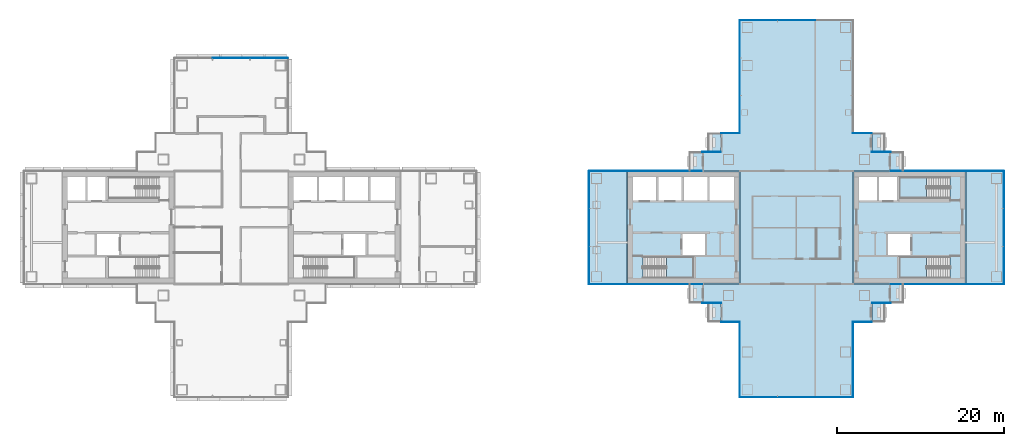
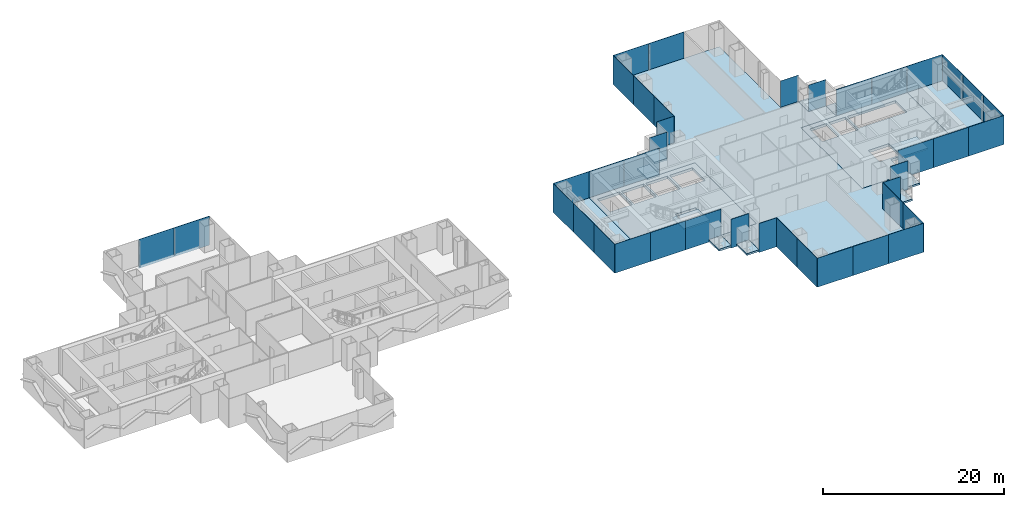
# One storey, part 9 of 19: 40 plates, 16 slabs, 23 elements without a shape of their own.
"""IFC4 building model written with IfcOpenShell, lengths in metres."""

from ifc_helpers import new_model, si_unit, direction, frame, origin, origin_2d, place, context, subcontext, project, spatial, polyline, rectangle, outline, extrude, material, layer, layer_set, type_object, element, aggregate, save


model = new_model("IFC4")

# Units and contexts
model_context = context("Model", 3, precision=1e-05, world=origin(), true_north=direction((0.0, 1.0)))
body_context = subcontext(model_context, "Body", "Model", "MODEL_VIEW")
ifc_project = project(units=[si_unit("LENGTHUNIT", "METRE"), si_unit("AREAUNIT", "SQUARE_METRE"), si_unit("VOLUMEUNIT", "CUBIC_METRE"), si_unit("PLANEANGLEUNIT", "RADIAN"), si_unit("MASSUNIT", "GRAM", prefix="KILO")], contexts=[model_context])

# Site, building, storey
site_placement = place(None, origin())
site = spatial("IfcSite", under=ifc_project, at=site_placement, CompositionType="ELEMENT")
building_placement = place(site_placement, origin())
building = spatial("IfcBuilding", under=site, at=building_placement, Name="Shamsa Quay Exchange Towers", CompositionType="ELEMENT")
storey_placement = place(building_placement, frame((0.0, 0.0, 93.60009765625)))
storey = spatial("IfcBuildingStorey", under=building, at=storey_placement, Name="L21", CompositionType="ELEMENT", Elevation=93.60009765625)

# Slabs
ifc_material_1 = material(Name="Precast concrete C40/50", Category="concrete")
ifc_layer_1 = layer(ifc_material_1, 0.25)
ifc_layer_set_1 = layer_set([ifc_layer_1], Name="BALCONY SLAB 250")
slab_type_1 = type_object("IfcSlabType", Name="BALCONY SLAB 250", PredefinedType="FLOOR", material=ifc_layer_set_1)
slab_1_placement = place(storey_placement, frame((0.0, 0.0, -0.25)))
element("IfcSlab", 1, at=slab_1_placement, inside=storey, type_object=slab_type_1, Name="Balcony T2-PKEN L21", PredefinedType="FLOOR", context=body_context, shape_type="SweptSolid", body=[
    extrude(outline(polyline([(24.75, 11.25), (24.75, 9.0380859375), (23.199951171875, 9.0380859375), (23.199951171875, 11.25), (24.75, 11.25)])), origin(), (0.0, 0.0, 1.0), 0.25),
])
slab_2_placement = place(storey_placement, frame((0.0, 0.0, -0.25)))
element("IfcSlab", 2, at=slab_2_placement, inside=storey, type_object=slab_type_1, Name="Balcony T2-PKEN L21", PredefinedType="FLOOR", context=body_context, shape_type="SweptSolid", body=[
    extrude(outline(polyline([(22.5, 9.0), (22.5, 6.7880859375), (20.949951171875, 6.7880859375), (20.949951171875, 9.0), (22.5, 9.0)])), origin(), (0.0, 0.0, 1.0), 0.25),
])
slab_3_placement = place(storey_placement, frame((0.0, 0.0, -0.25)))
element("IfcSlab", 3, at=slab_3_placement, inside=storey, type_object=slab_type_1, Name="Balcony T2-PKES L21", PredefinedType="FLOOR", context=body_context, shape_type="SweptSolid", body=[
    extrude(outline(polyline([(42.75, 9.0380859375), (42.75, 11.25), (44.300048828125, 11.25), (44.300048828125, 9.0380859375), (42.75, 9.0380859375)])), origin(), (0.0, 0.0, 1.0), 0.25),
])
slab_4_placement = place(storey_placement, frame((0.0, 0.0, -0.25)))
element("IfcSlab", 4, at=slab_4_placement, inside=storey, type_object=slab_type_1, Name="Balcony T2-PKES L21", PredefinedType="FLOOR", context=body_context, shape_type="SweptSolid", body=[
    extrude(outline(polyline([(45.0, 6.7880859375), (45.0, 9.0), (46.550048828125, 9.0), (46.550048828125, 6.7880859375), (45.0, 6.7880859375)])), origin(), (0.0, 0.0, 1.0), 0.25),
])
slab_5_placement = place(storey_placement, frame((0.0, 0.0, -0.25)))
element("IfcSlab", 5, at=slab_5_placement, inside=storey, type_object=slab_type_1, Name="Balcony T2-PKWN L21", PredefinedType="FLOOR", context=body_context, shape_type="SweptSolid", body=[
    extrude(outline(polyline([(22.5, -6.7880859375), (22.5, -9.0), (20.949951171875, -9.0), (20.949951171875, -6.7880859375), (22.5, -6.7880859375)])), origin(), (0.0, 0.0, 1.0), 0.25),
])
slab_6_placement = place(storey_placement, frame((0.0, 0.0, -0.25)))
element("IfcSlab", 6, at=slab_6_placement, inside=storey, type_object=slab_type_1, Name="Balcony T2-PKWN L21", PredefinedType="FLOOR", context=body_context, shape_type="SweptSolid", body=[
    extrude(outline(polyline([(24.75, -9.0380859375), (24.75, -11.25), (23.199951171875, -11.25), (23.199951171875, -9.0380859375), (24.75, -9.0380859375)])), origin(), (0.0, 0.0, 1.0), 0.25),
])
slab_7_placement = place(storey_placement, frame((0.0, 0.0, -0.25)))
element("IfcSlab", 7, at=slab_7_placement, inside=storey, type_object=slab_type_1, Name="Balcony T2-PKWS L21", PredefinedType="FLOOR", context=body_context, shape_type="SweptSolid", body=[
    extrude(outline(polyline([(42.75, -11.25), (42.75, -9.0380859375), (44.300048828125, -9.0380859375), (44.300048828125, -11.25), (42.75, -11.25)])), origin(), (0.0, 0.0, 1.0), 0.25),
])
slab_8_placement = place(storey_placement, frame((0.0, 0.0, -0.25)))
element("IfcSlab", 8, at=slab_8_placement, inside=storey, type_object=slab_type_1, Name="Balcony T2-PKWS L21", PredefinedType="FLOOR", context=body_context, shape_type="SweptSolid", body=[
    extrude(outline(polyline([(45.0, -9.0), (45.0, -6.7880859375), (46.550048828125, -6.7880859375), (46.550048828125, -9.0), (45.0, -9.0)])), origin(), (0.0, 0.0, 1.0), 0.25),
])
ifc_material_2 = material(Name="Concrete C50/60", Category="concrete")
ifc_layer_2 = layer(ifc_material_2, 0.35009765625)
ifc_layer_set_2 = layer_set([ifc_layer_2], Name="CORE FLOOR 350 C50/60")
slab_type_2 = type_object("IfcSlabType", Name="CORE FLOOR 350 C50/60", PredefinedType="FLOOR", material=ifc_layer_set_2)
slab_9_placement = place(storey_placement, frame((0.0, 0.0, -0.35009765625)))
element("IfcSlab", 9, at=slab_9_placement, inside=storey, type_object=slab_type_2, Name="Core floor T2A", PredefinedType="FLOOR", context=body_context, shape_type="SweptSolid", body=[
    extrude(outline(polyline([(13.5, -6.75), (27.0, -6.75), (27.0, 6.75), (13.5, 6.75), (13.5, -6.75)]), holes=[polyline([(15.400634765625, -6.050048828125), (15.400634765625, -3.5), (21.5, -3.5), (21.5, -6.050048828125), (15.400634765625, -6.050048828125)]), polyline([(14.199951171875, 3.25), (14.199951171875, 6.050048828125), (17.0, 6.050048828125), (17.0, 3.25), (14.199951171875, 3.25)]), polyline([(17.25, 3.25), (17.25, 6.050048828125), (20.050048828125, 6.050048828125), (20.050048828125, 3.25), (17.25, 3.25)]), polyline([(20.300048828125, 3.25), (20.300048828125, 6.050048828125), (23.10009765625, 6.050048828125), (23.10009765625, 3.25), (20.300048828125, 3.25)]), polyline([(23.35009765625, 3.25), (23.35009765625, 6.050048828125), (26.300048828125, 6.050048828125), (26.300048828125, 3.25), (23.35009765625, 3.25)]), polyline([(20.14990234375, -3.25), (20.14990234375, -0.75), (22.800048828125, -0.75), (22.800048828125, -3.25), (20.14990234375, -3.25)])]), origin(), (0.0, 0.0, 1.0), 0.35009765625),
])
slab_10_placement = place(storey_placement, frame((0.0, 0.0, -0.35009765625)))
element("IfcSlab", 10, at=slab_10_placement, inside=storey, type_object=slab_type_2, Name="Core floor T2B", PredefinedType="FLOOR", context=body_context, shape_type="SweptSolid", body=[
    extrude(outline(polyline([(54.0, -6.75), (54.0, 6.75), (40.5, 6.75), (40.5, -6.75), (54.0, -6.75)]), holes=[polyline([(52.099365234375, -3.5), (52.099365234375, -6.050048828125), (46.0, -6.050048828125), (46.0, -3.5), (52.099365234375, -3.5)]), polyline([(52.099365234375, 6.050048828125), (52.099365234375, 3.5), (46.0, 3.5), (46.0, 6.050048828125), (52.099365234375, 6.050048828125)]), polyline([(45.75, 3.25), (43.60009765625, 3.25), (43.60009765625, 6.050048828125), (45.75, 6.050048828125), (45.75, 3.25)]), polyline([(43.35009765625, 3.25), (41.199951171875, 3.25), (41.199951171875, 6.050048828125), (43.35009765625, 6.050048828125), (43.35009765625, 3.25)]), polyline([(47.35009765625, -3.25), (44.699951171875, -3.25), (44.699951171875, -0.75), (47.35009765625, -0.75), (47.35009765625, -3.25)])]), origin(), (0.0, 0.0, 1.0), 0.35009765625),
])

# Stair, slab
ifc_material_3 = material(Name="Concrete C40/50", Category="concrete")
stair_type = type_object("IfcStairType", Name="EXIT STAIR 22 RISERS 177 MM", PredefinedType="HALF_TURN_STAIR", material=ifc_material_3)
stair_1_placement = place(storey_placement, origin())
stair_1 = element("IfcStair", 11, at=stair_1_placement, inside=storey, type_object=stair_type, Name="L21 Exit stair ST4", PredefinedType="HALF_TURN_STAIR")
ifc_layer_3 = layer(ifc_material_3, 0.199951171875)
ifc_layer_set_3 = layer_set([ifc_layer_3], Name="CORE STAIR LANDING")
slab_type_3 = type_object("IfcSlabType", Name="CORE STAIR LANDING", PredefinedType="LANDING", material=ifc_layer_set_3)
slab_11_placement = place(storey_placement, frame((0.0, 0.0, 1.75)))
slab_11 = element("IfcSlab", 12, at=slab_11_placement, type_object=slab_type_3, Name="ST4 landing 1", PredefinedType="LANDING", context=body_context, shape_type="SweptSolid", body=[
    extrude(outline(polyline([(18.199951171875, -6.050048828125), (21.5, -6.050048828125), (21.5, -3.5), (18.199951171875, -3.5), (18.199951171875, -6.050048828125)])), origin(), (0.0, 0.0, 1.0), 0.199951171875),
])
aggregate(stair_1, [slab_11])

stair_2_placement = place(storey_placement, origin())
stair_2 = element("IfcStair", 13, at=stair_2_placement, inside=storey, type_object=stair_type, Name="L21 Exit stair ST5", PredefinedType="HALF_TURN_STAIR")
slab_12_placement = place(storey_placement, frame((0.0, 0.0, 1.75)))
slab_12 = element("IfcSlab", 14, at=slab_12_placement, type_object=slab_type_3, Name="ST5 landing 1", PredefinedType="LANDING", context=body_context, shape_type="SweptSolid", body=[
    extrude(outline(polyline([(49.300048828125, -3.5), (46.0, -3.5), (46.0, -6.050048828125), (49.300048828125, -6.050048828125), (49.300048828125, -3.5)])), origin(), (0.0, 0.0, 1.0), 0.199951171875),
])
aggregate(stair_2, [slab_12])

stair_3_placement = place(storey_placement, origin())
stair_3 = element("IfcStair", 15, at=stair_3_placement, inside=storey, type_object=stair_type, Name="L21 Exit stair ST6", PredefinedType="HALF_TURN_STAIR")
slab_13_placement = place(storey_placement, frame((0.0, 0.0, 1.75)))
slab_13 = element("IfcSlab", 16, at=slab_13_placement, type_object=slab_type_3, Name="ST6 landing 1", PredefinedType="LANDING", context=body_context, shape_type="SweptSolid", body=[
    extrude(outline(polyline([(49.300048828125, 6.050048828125), (46.0, 6.050048828125), (46.0, 3.5), (49.300048828125, 3.5), (49.300048828125, 6.050048828125)])), origin(), (0.0, 0.0, 1.0), 0.199951171875),
])
aggregate(stair_3, [slab_13])

# Curtain wall, plates
ifc_material_4 = material(Name="Aluminium EN AW-6063 T6, black anodised", Category="aluminium")
ifc_layer_4 = layer(ifc_material_4, 0.280029296875)
ifc_layer_set_4 = layer_set([ifc_layer_4], Name="CW-1 UNITISED VISION GLASS")
curtain_wall_type_1 = type_object("IfcCurtainWallType", Name="CW-1 UNITISED VISION GLASS", PredefinedType="NOTDEFINED", material=ifc_layer_set_4)
curtain_wall_1_placement = place(storey_placement, origin())
curtain_wall_1 = element("IfcCurtainWall", 17, at=curtain_wall_1_placement, inside=storey, type_object=curtain_wall_type_1, Name="CW1 T1-END-V+ L21", PredefinedType="NOTDEFINED")
ifc_material_5 = material(Name="Glass, laminated, dark tinted", Category="glass")
ifc_layer_5 = layer(ifc_material_5, 0.0400390625)
ifc_layer_set_5 = layer_set([ifc_layer_5], Name="CW-1 VISION GLASS 40")
plate_type_1 = type_object("IfcPlateType", Name="CW-1 VISION GLASS 40", PredefinedType="CURTAIN_PANEL", material=ifc_layer_set_5)
plate_1_placement = place(storey_placement, frame((-29.24755859375, 20.27001953125, -0.35009765625), z_axis=(0.0, 0.0, 1.0), x_axis=(-1.0, 0.0, 0.0)))
plate_1 = element("IfcPlate", 18, at=plate_1_placement, type_object=plate_type_1, Name="CW1 glass panel", PredefinedType="CURTAIN_PANEL", context=body_context, shape_type="SweptSolid", body=[
    extrude(rectangle(XDim=4.4951171875, YDim=0.0400390625, at=origin_2d()), origin(), (0.0, 0.0, 1.0), 3.89990234375),
])
plate_2_placement = place(storey_placement, frame((-33.75, 20.27001953125, -0.35009765625), z_axis=(0.0, 0.0, 1.0), x_axis=(-1.0, 0.0, 0.0)))
plate_2 = element("IfcPlate", 19, at=plate_2_placement, type_object=plate_type_1, Name="CW1 glass panel", PredefinedType="CURTAIN_PANEL", context=body_context, shape_type="SweptSolid", body=[
    extrude(rectangle(XDim=4.489990234375, YDim=0.0400390625, at=origin_2d()), origin(), (0.0, 0.0, 1.0), 3.89990234375),
])
aggregate(curtain_wall_1, [plate_1, plate_2])

# Curtain wall, plate
curtain_wall_2_placement = place(storey_placement, origin())
curtain_wall_2 = element("IfcCurtainWall", 20, at=curtain_wall_2_placement, inside=storey, type_object=curtain_wall_type_1, Name="CW1 T2-FLK-V-W L21", PredefinedType="NOTDEFINED")
plate_3_placement = place(storey_placement, frame((56.25, -6.77001953125, -0.35009765625)))
plate_3 = element("IfcPlate", 21, at=plate_3_placement, type_object=plate_type_1, Name="CW1 glass panel", PredefinedType="CURTAIN_PANEL", context=body_context, shape_type="SweptSolid", body=[
    extrude(rectangle(XDim=4.5, YDim=0.0400390625, at=origin_2d()), origin(), (0.0, 0.0, 1.0), 3.89990234375),
])
aggregate(curtain_wall_2, [plate_3])

# Curtain wall, plates
curtain_wall_3_placement = place(storey_placement, origin())
curtain_wall_3 = element("IfcCurtainWall", 22, at=curtain_wall_3_placement, inside=storey, type_object=curtain_wall_type_1, Name="CW1 T2-END-V- L21", PredefinedType="NOTDEFINED")
plate_4_placement = place(storey_placement, frame((58.52001953125, -4.50244140625, -0.35009765625), z_axis=(0.0, 0.0, 1.0), x_axis=(0.0, 1.0, 0.0)))
plate_4 = element("IfcPlate", 23, at=plate_4_placement, type_object=plate_type_1, Name="CW1 glass panel", PredefinedType="CURTAIN_PANEL", context=body_context, shape_type="SweptSolid", body=[
    extrude(rectangle(XDim=4.4951171875, YDim=0.0400390625, at=origin_2d()), origin(), (0.0, 0.0, 1.0), 3.89990234375),
])
plate_5_placement = place(storey_placement, frame((58.52001953125, 0.0, -0.35009765625), z_axis=(0.0, 0.0, 1.0), x_axis=(0.0, 1.0, 0.0)))
plate_5 = element("IfcPlate", 24, at=plate_5_placement, type_object=plate_type_1, Name="CW1 glass panel", PredefinedType="CURTAIN_PANEL", context=body_context, shape_type="SweptSolid", body=[
    extrude(rectangle(XDim=4.489990234375, YDim=0.0400390625, at=origin_2d()), origin(), (0.0, 0.0, 1.0), 3.89990234375),
])
plate_6_placement = place(storey_placement, frame((58.52001953125, 4.50244140625, -0.35009765625), z_axis=(0.0, 0.0, 1.0), x_axis=(0.0, 1.0, 0.0)))
plate_6 = element("IfcPlate", 25, at=plate_6_placement, type_object=plate_type_1, Name="CW1 glass panel", PredefinedType="CURTAIN_PANEL", context=body_context, shape_type="SweptSolid", body=[
    extrude(rectangle(XDim=4.4951171875, YDim=0.0400390625, at=origin_2d()), origin(), (0.0, 0.0, 1.0), 3.89990234375),
])
aggregate(curtain_wall_3, [plate_4, plate_5, plate_6])

# Curtain wall, plate
curtain_wall_4_placement = place(storey_placement, origin())
curtain_wall_4 = element("IfcCurtainWall", 26, at=curtain_wall_4_placement, inside=storey, type_object=curtain_wall_type_1, Name="CW1 T2-FLK-V-E L21", PredefinedType="NOTDEFINED")
plate_7_placement = place(storey_placement, frame((56.25, 6.77001953125, -0.35009765625), z_axis=(0.0, 0.0, 1.0), x_axis=(-1.0, 0.0, 0.0)))
plate_7 = element("IfcPlate", 27, at=plate_7_placement, type_object=plate_type_1, Name="CW1 glass panel", PredefinedType="CURTAIN_PANEL", context=body_context, shape_type="SweptSolid", body=[
    extrude(rectangle(XDim=4.5, YDim=0.0400390625, at=origin_2d()), origin(), (0.0, 0.0, 1.0), 3.89990234375),
])
aggregate(curtain_wall_4, [plate_7])

# Curtain wall, plates
curtain_wall_5_placement = place(storey_placement, origin())
curtain_wall_5 = element("IfcCurtainWall", 28, at=curtain_wall_5_placement, inside=storey, type_object=curtain_wall_type_1, Name="CW1 T2-END-U+ L21", PredefinedType="NOTDEFINED")
plate_8_placement = place(storey_placement, frame((33.75, 24.77001953125, -0.35009765625), z_axis=(0.0, 0.0, 1.0), x_axis=(-1.0, 0.0, 0.0)))
plate_8 = element("IfcPlate", 29, at=plate_8_placement, type_object=plate_type_1, Name="CW1 glass panel", PredefinedType="CURTAIN_PANEL", context=body_context, shape_type="SweptSolid", body=[
    extrude(rectangle(XDim=4.489990234375, YDim=0.0400390625, at=origin_2d()), origin(), (0.0, 0.0, 1.0), 3.89990234375),
])
plate_9_placement = place(storey_placement, frame((29.24755859375, 24.77001953125, -0.35009765625), z_axis=(0.0, 0.0, 1.0), x_axis=(-1.0, 0.0, 0.0)))
plate_9 = element("IfcPlate", 30, at=plate_9_placement, type_object=plate_type_1, Name="CW1 glass panel", PredefinedType="CURTAIN_PANEL", context=body_context, shape_type="SweptSolid", body=[
    extrude(rectangle(XDim=4.4951171875, YDim=0.0400390625, at=origin_2d()), origin(), (0.0, 0.0, 1.0), 3.89990234375),
])
aggregate(curtain_wall_5, [plate_8, plate_9])

curtain_wall_6_placement = place(storey_placement, origin())
curtain_wall_6 = element("IfcCurtainWall", 31, at=curtain_wall_6_placement, inside=storey, type_object=curtain_wall_type_1, Name="CW1 T2-FLK-U+N L21", PredefinedType="NOTDEFINED")
plate_10_placement = place(storey_placement, frame((26.97998046875, 22.50244140625, -0.35009765625), z_axis=(0.0, 0.0, 1.0), x_axis=(0.0, -1.0, 0.0)))
plate_10 = element("IfcPlate", 32, at=plate_10_placement, type_object=plate_type_1, Name="CW1 glass panel", PredefinedType="CURTAIN_PANEL", context=body_context, shape_type="SweptSolid", body=[
    extrude(rectangle(XDim=4.4951171875, YDim=0.0400390625, at=origin_2d()), origin(), (0.0, 0.0, 1.0), 3.89990234375),
])
plate_11_placement = place(storey_placement, frame((26.97998046875, 18.0, -0.35009765625), z_axis=(0.0, 0.0, 1.0), x_axis=(0.0, -1.0, 0.0)))
plate_11 = element("IfcPlate", 33, at=plate_11_placement, type_object=plate_type_1, Name="CW1 glass panel", PredefinedType="CURTAIN_PANEL", context=body_context, shape_type="SweptSolid", body=[
    extrude(rectangle(XDim=4.489990234375, YDim=0.0400390625, at=origin_2d()), origin(), (0.0, 0.0, 1.0), 3.89990234375),
])
plate_12_placement = place(storey_placement, frame((26.97998046875, 13.49755859375, -0.35009765625), z_axis=(0.0, 0.0, 1.0), x_axis=(0.0, -1.0, 0.0)))
plate_12 = element("IfcPlate", 34, at=plate_12_placement, type_object=plate_type_1, Name="CW1 glass panel", PredefinedType="CURTAIN_PANEL", context=body_context, shape_type="SweptSolid", body=[
    extrude(rectangle(XDim=4.4951171875, YDim=0.0400390625, at=origin_2d()), origin(), (0.0, 0.0, 1.0), 3.89990234375),
])
aggregate(curtain_wall_6, [plate_10, plate_11, plate_12])

# Curtain wall, plate
curtain_wall_7_placement = place(storey_placement, origin())
curtain_wall_7 = element("IfcCurtainWall", 35, at=curtain_wall_7_placement, inside=storey, type_object=curtain_wall_type_1, Name="CW1 T2-FLK-V+E L21", PredefinedType="NOTDEFINED")
plate_13_placement = place(storey_placement, frame((11.25, 6.77001953125, -0.35009765625), z_axis=(0.0, 0.0, 1.0), x_axis=(-1.0, 0.0, 0.0)))
plate_13 = element("IfcPlate", 36, at=plate_13_placement, type_object=plate_type_1, Name="CW1 glass panel", PredefinedType="CURTAIN_PANEL", context=body_context, shape_type="SweptSolid", body=[
    extrude(rectangle(XDim=4.5, YDim=0.0400390625, at=origin_2d()), origin(), (0.0, 0.0, 1.0), 3.89990234375),
])
aggregate(curtain_wall_7, [plate_13])

# Curtain wall, plates
curtain_wall_8_placement = place(storey_placement, origin())
curtain_wall_8 = element("IfcCurtainWall", 37, at=curtain_wall_8_placement, inside=storey, type_object=curtain_wall_type_1, Name="CW1 T2-END-V+ L21", PredefinedType="NOTDEFINED")
plate_14_placement = place(storey_placement, frame((8.97998046875, 4.50244140625, -0.35009765625), z_axis=(0.0, 0.0, 1.0), x_axis=(0.0, -1.0, 0.0)))
plate_14 = element("IfcPlate", 38, at=plate_14_placement, type_object=plate_type_1, Name="CW1 glass panel", PredefinedType="CURTAIN_PANEL", context=body_context, shape_type="SweptSolid", body=[
    extrude(rectangle(XDim=4.4951171875, YDim=0.0400390625, at=origin_2d()), origin(), (0.0, 0.0, 1.0), 3.89990234375),
])
plate_15_placement = place(storey_placement, frame((8.97998046875, 0.0, -0.35009765625), z_axis=(0.0, 0.0, 1.0), x_axis=(0.0, -1.0, 0.0)))
plate_15 = element("IfcPlate", 39, at=plate_15_placement, type_object=plate_type_1, Name="CW1 glass panel", PredefinedType="CURTAIN_PANEL", context=body_context, shape_type="SweptSolid", body=[
    extrude(rectangle(XDim=4.489990234375, YDim=0.0400390625, at=origin_2d()), origin(), (0.0, 0.0, 1.0), 3.89990234375),
])
plate_16_placement = place(storey_placement, frame((8.97998046875, -4.50244140625, -0.35009765625), z_axis=(0.0, 0.0, 1.0), x_axis=(0.0, -1.0, 0.0)))
plate_16 = element("IfcPlate", 40, at=plate_16_placement, type_object=plate_type_1, Name="CW1 glass panel", PredefinedType="CURTAIN_PANEL", context=body_context, shape_type="SweptSolid", body=[
    extrude(rectangle(XDim=4.4951171875, YDim=0.0400390625, at=origin_2d()), origin(), (0.0, 0.0, 1.0), 3.89990234375),
])
aggregate(curtain_wall_8, [plate_14, plate_15, plate_16])

# Curtain wall, plate
curtain_wall_9_placement = place(storey_placement, origin())
curtain_wall_9 = element("IfcCurtainWall", 41, at=curtain_wall_9_placement, inside=storey, type_object=curtain_wall_type_1, Name="CW1 T2-FLK-V+W L21", PredefinedType="NOTDEFINED")
plate_17_placement = place(storey_placement, frame((11.25, -6.77001953125, -0.35009765625)))
plate_17 = element("IfcPlate", 42, at=plate_17_placement, type_object=plate_type_1, Name="CW1 glass panel", PredefinedType="CURTAIN_PANEL", context=body_context, shape_type="SweptSolid", body=[
    extrude(rectangle(XDim=4.5, YDim=0.0400390625, at=origin_2d()), origin(), (0.0, 0.0, 1.0), 3.89990234375),
])
aggregate(curtain_wall_9, [plate_17])

# Curtain wall, plates
curtain_wall_10_placement = place(storey_placement, origin())
curtain_wall_10 = element("IfcCurtainWall", 43, at=curtain_wall_10_placement, inside=storey, type_object=curtain_wall_type_1, Name="CW1 T2-FLK-U-N L21", PredefinedType="NOTDEFINED")
plate_18_placement = place(storey_placement, frame((26.97998046875, -13.52587890625, -0.35009765625), z_axis=(0.0, 0.0, 1.0), x_axis=(0.0, -1.0, 0.0)))
plate_18 = element("IfcPlate", 44, at=plate_18_placement, type_object=plate_type_1, Name="CW1 glass panel", PredefinedType="CURTAIN_PANEL", context=body_context, shape_type="SweptSolid", body=[
    extrude(rectangle(XDim=4.47607421875, YDim=0.0400390625, at=origin_2d()), origin(), (0.0, 0.0, 1.0), 3.89990234375),
])
plate_19_placement = place(storey_placement, frame((26.97998046875, -18.011962890625, -0.35009765625), z_axis=(0.0, 0.0, 1.0), x_axis=(0.0, -1.0, 0.0)))
plate_19 = element("IfcPlate", 45, at=plate_19_placement, type_object=plate_type_1, Name="CW1 glass panel", PredefinedType="CURTAIN_PANEL", context=body_context, shape_type="SweptSolid", body=[
    extrude(rectangle(XDim=4.47607421875, YDim=0.0400390625, at=origin_2d()), origin(), (0.0, 0.0, 1.0), 3.89990234375),
])
aggregate(curtain_wall_10, [plate_18, plate_19])

curtain_wall_11_placement = place(storey_placement, origin())
curtain_wall_11 = element("IfcCurtainWall", 46, at=curtain_wall_11_placement, inside=storey, type_object=curtain_wall_type_1, Name="CW1 T2-END-U- L21", PredefinedType="NOTDEFINED")
plate_20_placement = place(storey_placement, frame((29.24755859375, -20.27001953125, -0.35009765625)))
plate_20 = element("IfcPlate", 47, at=plate_20_placement, type_object=plate_type_1, Name="CW1 glass panel", PredefinedType="CURTAIN_PANEL", context=body_context, shape_type="SweptSolid", body=[
    extrude(rectangle(XDim=4.4951171875, YDim=0.0400390625, at=origin_2d()), origin(), (0.0, 0.0, 1.0), 3.89990234375),
])
plate_21_placement = place(storey_placement, frame((33.75, -20.27001953125, -0.35009765625)))
plate_21 = element("IfcPlate", 48, at=plate_21_placement, type_object=plate_type_1, Name="CW1 glass panel", PredefinedType="CURTAIN_PANEL", context=body_context, shape_type="SweptSolid", body=[
    extrude(rectangle(XDim=4.489990234375, YDim=0.0400390625, at=origin_2d()), origin(), (0.0, 0.0, 1.0), 3.89990234375),
])
plate_22_placement = place(storey_placement, frame((38.25244140625, -20.27001953125, -0.35009765625)))
plate_22 = element("IfcPlate", 49, at=plate_22_placement, type_object=plate_type_1, Name="CW1 glass panel", PredefinedType="CURTAIN_PANEL", context=body_context, shape_type="SweptSolid", body=[
    extrude(rectangle(XDim=4.4951171875, YDim=0.0400390625, at=origin_2d()), origin(), (0.0, 0.0, 1.0), 3.89990234375),
])
aggregate(curtain_wall_11, [plate_20, plate_21, plate_22])

curtain_wall_12_placement = place(storey_placement, origin())
curtain_wall_12 = element("IfcCurtainWall", 50, at=curtain_wall_12_placement, inside=storey, type_object=curtain_wall_type_1, Name="CW1 T2-FLK-U-S L21", PredefinedType="NOTDEFINED")
plate_23_placement = place(storey_placement, frame((40.52001953125, -18.00244140625, -0.35009765625), z_axis=(0.0, 0.0, 1.0), x_axis=(0.0, 1.0, 0.0)))
plate_23 = element("IfcPlate", 51, at=plate_23_placement, type_object=plate_type_1, Name="CW1 glass panel", PredefinedType="CURTAIN_PANEL", context=body_context, shape_type="SweptSolid", body=[
    extrude(rectangle(XDim=4.4951171875, YDim=0.0400390625, at=origin_2d()), origin(), (0.0, 0.0, 1.0), 3.89990234375),
])
plate_24_placement = place(storey_placement, frame((40.52001953125, -13.49755859375, -0.35009765625), z_axis=(0.0, 0.0, 1.0), x_axis=(0.0, 1.0, 0.0)))
plate_24 = element("IfcPlate", 52, at=plate_24_placement, type_object=plate_type_1, Name="CW1 glass panel", PredefinedType="CURTAIN_PANEL", context=body_context, shape_type="SweptSolid", body=[
    extrude(rectangle(XDim=4.4951171875, YDim=0.0400390625, at=origin_2d()), origin(), (0.0, 0.0, 1.0), 3.89990234375),
])
aggregate(curtain_wall_12, [plate_23, plate_24])

ifc_layer_6 = layer(ifc_material_4, 0.303955078125)
ifc_layer_set_6 = layer_set([ifc_layer_6], Name="CW-2 UNITISED OPAQUE SPANDREL GLASS")
curtain_wall_type_2 = type_object("IfcCurtainWallType", Name="CW-2 UNITISED OPAQUE SPANDREL GLASS", PredefinedType="NOTDEFINED", material=ifc_layer_set_6)
curtain_wall_13_placement = place(storey_placement, origin())
curtain_wall_13 = element("IfcCurtainWall", 53, at=curtain_wall_13_placement, inside=storey, type_object=curtain_wall_type_2, Name="CW2 T2-FLK-V-W L21", PredefinedType="NOTDEFINED")
ifc_material_6 = material(Name="Glass, laminated, black enamelled opaque", Category="glass")
ifc_layer_7 = layer(ifc_material_6, 0.0439453125)
ifc_layer_set_7 = layer_set([ifc_layer_7], Name="CW-2 SPANDREL GLASS 44")
plate_type_2 = type_object("IfcPlateType", Name="CW-2 SPANDREL GLASS 44", PredefinedType="CURTAIN_PANEL", material=ifc_layer_set_7)
plate_25_placement = place(storey_placement, frame((47.27587890625, -6.77197265625, -0.35009765625)))
plate_25 = element("IfcPlate", 54, at=plate_25_placement, type_object=plate_type_2, Name="CW2 glass panel", PredefinedType="CURTAIN_PANEL", context=body_context, shape_type="SweptSolid", body=[
    extrude(rectangle(XDim=4.47607421875, YDim=0.0439453125, at=origin_2d()), origin(), (0.0, 0.0, 1.0), 3.89990234375),
])
plate_26_placement = place(storey_placement, frame((51.761962890625, -6.77197265625, -0.35009765625)))
plate_26 = element("IfcPlate", 55, at=plate_26_placement, type_object=plate_type_2, Name="CW2 glass panel", PredefinedType="CURTAIN_PANEL", context=body_context, shape_type="SweptSolid", body=[
    extrude(rectangle(XDim=4.47607421875, YDim=0.0439453125, at=origin_2d()), origin(), (0.0, 0.0, 1.0), 3.89990234375),
])
aggregate(curtain_wall_13, [plate_25, plate_26])

curtain_wall_14_placement = place(storey_placement, origin())
curtain_wall_14 = element("IfcCurtainWall", 56, at=curtain_wall_14_placement, inside=storey, type_object=curtain_wall_type_2, Name="CW2 T2-FLK-V-E L21", PredefinedType="NOTDEFINED")
plate_27_placement = place(storey_placement, frame((51.75244140625, 6.77197265625, -0.35009765625), z_axis=(0.0, 0.0, 1.0), x_axis=(-1.0, 0.0, 0.0)))
plate_27 = element("IfcPlate", 57, at=plate_27_placement, type_object=plate_type_2, Name="CW2 glass panel", PredefinedType="CURTAIN_PANEL", context=body_context, shape_type="SweptSolid", body=[
    extrude(rectangle(XDim=4.4951171875, YDim=0.0439453125, at=origin_2d()), origin(), (0.0, 0.0, 1.0), 3.89990234375),
])
plate_28_placement = place(storey_placement, frame((47.24755859375, 6.77197265625, -0.35009765625), z_axis=(0.0, 0.0, 1.0), x_axis=(-1.0, 0.0, 0.0)))
plate_28 = element("IfcPlate", 58, at=plate_28_placement, type_object=plate_type_2, Name="CW2 glass panel", PredefinedType="CURTAIN_PANEL", context=body_context, shape_type="SweptSolid", body=[
    extrude(rectangle(XDim=4.4951171875, YDim=0.0439453125, at=origin_2d()), origin(), (0.0, 0.0, 1.0), 3.89990234375),
])
aggregate(curtain_wall_14, [plate_27, plate_28])

curtain_wall_15_placement = place(storey_placement, origin())
curtain_wall_15 = element("IfcCurtainWall", 59, at=curtain_wall_15_placement, inside=storey, type_object=curtain_wall_type_2, Name="CW2 T2-FLK-V+E L21", PredefinedType="NOTDEFINED")
plate_29_placement = place(storey_placement, frame((20.22412109375, 6.77197265625, -0.35009765625), z_axis=(0.0, 0.0, 1.0), x_axis=(-1.0, 0.0, 0.0)))
plate_29 = element("IfcPlate", 60, at=plate_29_placement, type_object=plate_type_2, Name="CW2 glass panel", PredefinedType="CURTAIN_PANEL", context=body_context, shape_type="SweptSolid", body=[
    extrude(rectangle(XDim=4.47607421875, YDim=0.0439453125, at=origin_2d()), origin(), (0.0, 0.0, 1.0), 3.89990234375),
])
plate_30_placement = place(storey_placement, frame((15.738037109375, 6.77197265625, -0.35009765625), z_axis=(0.0, 0.0, 1.0), x_axis=(-1.0, 0.0, 0.0)))
plate_30 = element("IfcPlate", 61, at=plate_30_placement, type_object=plate_type_2, Name="CW2 glass panel", PredefinedType="CURTAIN_PANEL", context=body_context, shape_type="SweptSolid", body=[
    extrude(rectangle(XDim=4.47607421875, YDim=0.0439453125, at=origin_2d()), origin(), (0.0, 0.0, 1.0), 3.89990234375),
])
aggregate(curtain_wall_15, [plate_29, plate_30])

curtain_wall_16_placement = place(storey_placement, origin())
curtain_wall_16 = element("IfcCurtainWall", 62, at=curtain_wall_16_placement, inside=storey, type_object=curtain_wall_type_2, Name="CW2 T2-FLK-V+W L21", PredefinedType="NOTDEFINED")
plate_31_placement = place(storey_placement, frame((15.74755859375, -6.77197265625, -0.35009765625)))
plate_31 = element("IfcPlate", 63, at=plate_31_placement, type_object=plate_type_2, Name="CW2 glass panel", PredefinedType="CURTAIN_PANEL", context=body_context, shape_type="SweptSolid", body=[
    extrude(rectangle(XDim=4.4951171875, YDim=0.0439453125, at=origin_2d()), origin(), (0.0, 0.0, 1.0), 3.89990234375),
])
plate_32_placement = place(storey_placement, frame((20.25244140625, -6.77197265625, -0.35009765625)))
plate_32 = element("IfcPlate", 64, at=plate_32_placement, type_object=plate_type_2, Name="CW2 glass panel", PredefinedType="CURTAIN_PANEL", context=body_context, shape_type="SweptSolid", body=[
    extrude(rectangle(XDim=4.4951171875, YDim=0.0439453125, at=origin_2d()), origin(), (0.0, 0.0, 1.0), 3.89990234375),
])
aggregate(curtain_wall_16, [plate_31, plate_32])

ifc_layer_8 = layer(ifc_material_4, 0.256103515625)
ifc_layer_set_8 = layer_set([ifc_layer_8], Name="CW-4 POCKET SERRATED GLAZING")
curtain_wall_type_3 = type_object("IfcCurtainWallType", Name="CW-4 POCKET SERRATED GLAZING", PredefinedType="NOTDEFINED", material=ifc_layer_set_8)
curtain_wall_17_placement = place(storey_placement, origin())
curtain_wall_17 = element("IfcCurtainWall", 65, at=curtain_wall_17_placement, inside=storey, type_object=curtain_wall_type_3, Name="CW4 PKWS L21", PredefinedType="NOTDEFINED")
ifc_layer_9 = layer(ifc_material_5, 0.035888671875)
ifc_layer_set_9 = layer_set([ifc_layer_9], Name="CW-4 POCKET GLASS 36")
plate_type_3 = type_object("IfcPlateType", Name="CW-4 POCKET GLASS 36", PredefinedType="CURTAIN_PANEL", material=ifc_layer_set_9)
plate_33_placement = place(storey_placement, frame((43.89404296875, -9.01806640625, -0.35009765625)))
plate_33 = element("IfcPlate", 66, at=plate_33_placement, type_object=plate_type_3, Name="CW4 glass panel", PredefinedType="CURTAIN_PANEL", context=body_context, shape_type="SweptSolid", body=[
    extrude(rectangle(XDim=2.2119140625, YDim=0.035888671875, at=origin_2d()), origin(), (0.0, 0.0, 1.0), 3.89990234375),
])
plate_34_placement = place(storey_placement, frame((41.64599609375, -11.26806640625, -0.35009765625)))
plate_34 = element("IfcPlate", 67, at=plate_34_placement, type_object=plate_type_3, Name="CW4 glass panel", PredefinedType="CURTAIN_PANEL", context=body_context, shape_type="SweptSolid", body=[
    extrude(rectangle(XDim=2.2080078125, YDim=0.035888671875, at=origin_2d()), origin(), (0.0, 0.0, 1.0), 3.89990234375),
])
aggregate(curtain_wall_17, [plate_33, plate_34])

curtain_wall_18_placement = place(storey_placement, origin())
curtain_wall_18 = element("IfcCurtainWall", 68, at=curtain_wall_18_placement, inside=storey, type_object=curtain_wall_type_3, Name="CW4 PKES L21", PredefinedType="NOTDEFINED")
plate_35_placement = place(storey_placement, frame((43.875, 9.01806640625, -0.35009765625), z_axis=(0.0, 0.0, 1.0), x_axis=(-1.0, 0.0, 0.0)))
plate_35 = element("IfcPlate", 69, at=plate_35_placement, type_object=plate_type_3, Name="CW4 glass panel", PredefinedType="CURTAIN_PANEL", context=body_context, shape_type="SweptSolid", body=[
    extrude(rectangle(XDim=2.25, YDim=0.035888671875, at=origin_2d()), origin(), (0.0, 0.0, 1.0), 3.89990234375),
])
plate_36_placement = place(storey_placement, frame((41.625, 11.26806640625, -0.35009765625), z_axis=(0.0, 0.0, 1.0), x_axis=(-1.0, 0.0, 0.0)))
plate_36 = element("IfcPlate", 70, at=plate_36_placement, type_object=plate_type_3, Name="CW4 glass panel", PredefinedType="CURTAIN_PANEL", context=body_context, shape_type="SweptSolid", body=[
    extrude(rectangle(XDim=2.25, YDim=0.035888671875, at=origin_2d()), origin(), (0.0, 0.0, 1.0), 3.89990234375),
])
aggregate(curtain_wall_18, [plate_35, plate_36])

curtain_wall_19_placement = place(storey_placement, origin())
curtain_wall_19 = element("IfcCurtainWall", 71, at=curtain_wall_19_placement, inside=storey, type_object=curtain_wall_type_3, Name="CW4 PKEN L21", PredefinedType="NOTDEFINED")
plate_37_placement = place(storey_placement, frame((25.85400390625, 11.26806640625, -0.35009765625), z_axis=(0.0, 0.0, 1.0), x_axis=(-1.0, 0.0, 0.0)))
plate_37 = element("IfcPlate", 72, at=plate_37_placement, type_object=plate_type_3, Name="CW4 glass panel", PredefinedType="CURTAIN_PANEL", context=body_context, shape_type="SweptSolid", body=[
    extrude(rectangle(XDim=2.2080078125, YDim=0.035888671875, at=origin_2d()), origin(), (0.0, 0.0, 1.0), 3.89990234375),
])
plate_38_placement = place(storey_placement, frame((23.60595703125, 9.01806640625, -0.35009765625), z_axis=(0.0, 0.0, 1.0), x_axis=(-1.0, 0.0, 0.0)))
plate_38 = element("IfcPlate", 73, at=plate_38_placement, type_object=plate_type_3, Name="CW4 glass panel", PredefinedType="CURTAIN_PANEL", context=body_context, shape_type="SweptSolid", body=[
    extrude(rectangle(XDim=2.2119140625, YDim=0.035888671875, at=origin_2d()), origin(), (0.0, 0.0, 1.0), 3.89990234375),
])
aggregate(curtain_wall_19, [plate_37, plate_38])

curtain_wall_20_placement = place(storey_placement, origin())
curtain_wall_20 = element("IfcCurtainWall", 74, at=curtain_wall_20_placement, inside=storey, type_object=curtain_wall_type_3, Name="CW4 PKWN L21", PredefinedType="NOTDEFINED")
plate_39_placement = place(storey_placement, frame((23.625, -9.01806640625, -0.35009765625)))
plate_39 = element("IfcPlate", 75, at=plate_39_placement, type_object=plate_type_3, Name="CW4 glass panel", PredefinedType="CURTAIN_PANEL", context=body_context, shape_type="SweptSolid", body=[
    extrude(rectangle(XDim=2.25, YDim=0.035888671875, at=origin_2d()), origin(), (0.0, 0.0, 1.0), 3.89990234375),
])
plate_40_placement = place(storey_placement, frame((25.875, -11.26806640625, -0.35009765625)))
plate_40 = element("IfcPlate", 76, at=plate_40_placement, type_object=plate_type_3, Name="CW4 glass panel", PredefinedType="CURTAIN_PANEL", context=body_context, shape_type="SweptSolid", body=[
    extrude(rectangle(XDim=2.25, YDim=0.035888671875, at=origin_2d()), origin(), (0.0, 0.0, 1.0), 3.89990234375),
])
aggregate(curtain_wall_20, [plate_39, plate_40])

# Slabs
ifc_layer_10 = layer(ifc_material_3, 0.35009765625)
ifc_layer_set_10 = layer_set([ifc_layer_10], Name="Flat slab 350")
slab_type_4 = type_object("IfcSlabType", Name="Flat slab 350", PredefinedType="FLOOR", material=ifc_layer_set_10)
slab_14_placement = place(storey_placement, frame((0.0, 0.0, -0.35009765625)))
element("IfcSlab", 77, at=slab_14_placement, inside=storey, type_object=slab_type_4, Name="Flat slab T2 L21 4", PredefinedType="FLOOR", context=body_context, shape_type="SweptSolid", body=[
    extrude(outline(polyline([(9.0, -6.75), (13.5, -6.75), (13.5, 6.75), (9.0, 6.75), (9.0, -6.75)])), origin(), (0.0, 0.0, 1.0), 0.35009765625),
])
slab_15_placement = place(storey_placement, frame((0.0, 0.0, -0.35009765625)))
element("IfcSlab", 78, at=slab_15_placement, inside=storey, type_object=slab_type_4, Name="Flat slab T2 L21 5", PredefinedType="FLOOR", context=body_context, shape_type="SweptSolid", body=[
    extrude(outline(polyline([(45.0, -9.0), (45.0, -6.75), (40.5, -6.75), (40.5, 6.75), (45.0, 6.75), (45.0, 9.0), (42.75, 9.0), (42.75, 11.25), (40.5, 11.25), (40.5, 24.75), (27.0, 24.75), (27.0, 11.25), (24.75, 11.25), (24.75, 9.0), (22.5, 9.0), (22.5, 6.75), (27.0, 6.75), (27.0, -6.75), (22.5, -6.75), (22.5, -9.0), (24.75, -9.0), (24.75, -11.25), (27.0, -11.25), (27.0, -20.25), (40.5, -20.25), (40.5, -11.25), (42.75, -11.25), (42.75, -9.0), (45.0, -9.0)])), origin(), (0.0, 0.0, 1.0), 0.35009765625),
])
slab_16_placement = place(storey_placement, frame((0.0, 0.0, -0.35009765625)))
element("IfcSlab", 79, at=slab_16_placement, inside=storey, type_object=slab_type_4, Name="Flat slab T2 L21 6", PredefinedType="FLOOR", context=body_context, shape_type="SweptSolid", body=[
    extrude(outline(polyline([(58.5, 6.75), (54.0, 6.75), (54.0, -6.75), (58.5, -6.75), (58.5, 6.75)])), origin(), (0.0, 0.0, 1.0), 0.35009765625),
])

save(model, "model.ifc")
